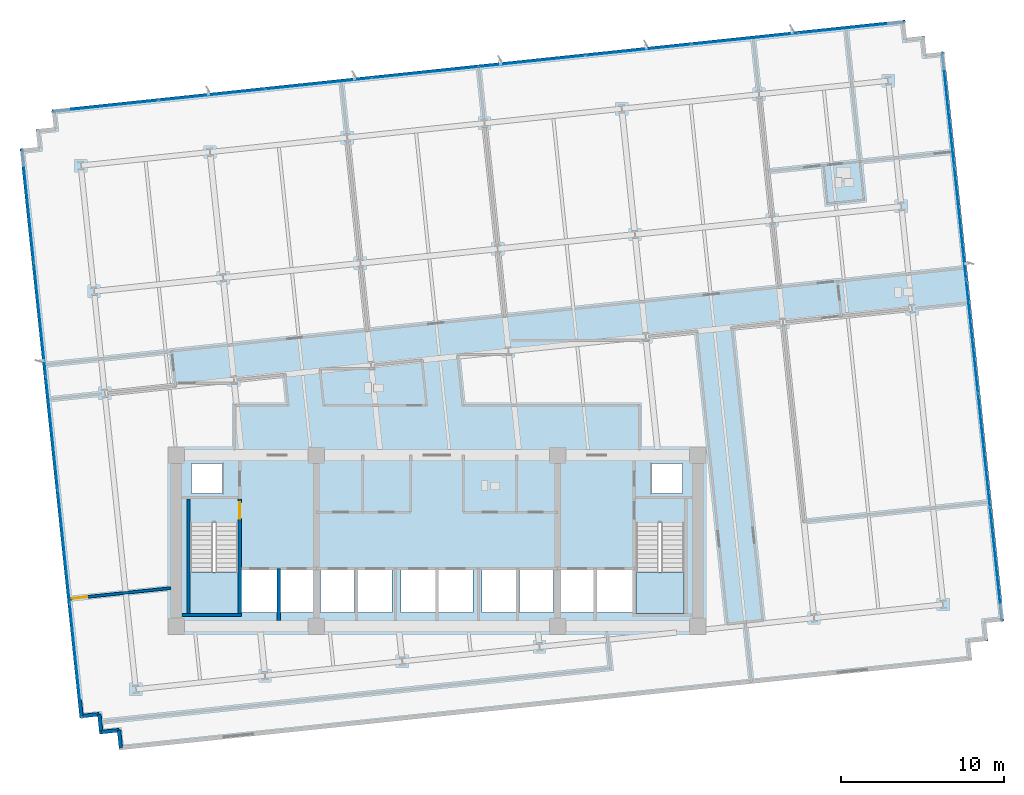
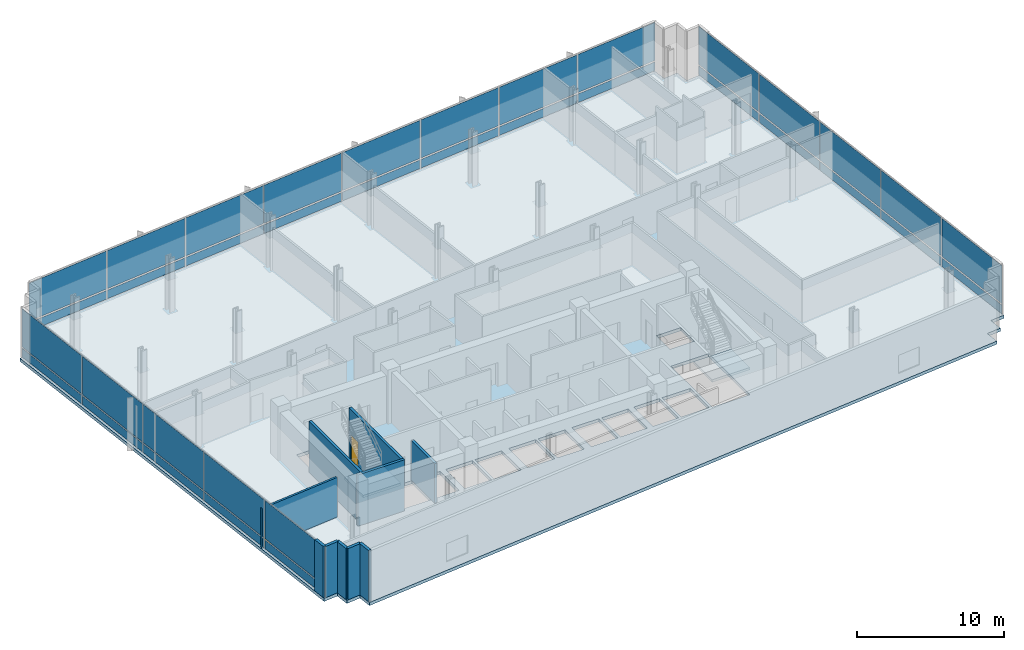
# One storey, part 11 of 20: 36 plates, 10 walls, 3 slabs, 2 doors, 2 openings, 5 elements without a shape of their own.
"""IFC4 building model written with IfcOpenShell, lengths in metres."""

from ifc_helpers import new_model, si_unit, direction, frame, frame_2d, origin, origin_2d, place, context, subcontext, project, spatial, polyline, rectangle, outline, extrude, material, layer, layer_set, type_object, element, fill, aggregate, save


model = new_model("IFC4")

# Units and contexts
model_context = context("Model", 3, precision=1e-05, world=origin(), true_north=direction((0.0, 1.0)))
body_context = subcontext(model_context, "Body", "Model", "MODEL_VIEW")
ifc_project = project(units=[si_unit("LENGTHUNIT", "METRE"), si_unit("AREAUNIT", "SQUARE_METRE"), si_unit("VOLUMEUNIT", "CUBIC_METRE"), si_unit("PLANEANGLEUNIT", "RADIAN"), si_unit("MASSUNIT", "GRAM", prefix="KILO")], contexts=[model_context])

# Site, building, storey
site_placement = place(None, origin())
site = spatial("IfcSite", under=ifc_project, at=site_placement, CompositionType="ELEMENT")
building_placement = place(site_placement, origin())
building = spatial("IfcBuilding", under=site, at=building_placement, Name="Solmavex Isthmus Hotel", CompositionType="ELEMENT")
storey_placement = place(building_placement, frame((0.0, 0.0, 97.35009765625)))
storey = spatial("IfcBuildingStorey", under=building, at=storey_placement, Name="L26", CompositionType="ELEMENT", Elevation=97.35009765625)

# Curtain wall, plates
ifc_material_1 = material(Name="Aluminium alloy 6063-T6", Category="aluminium")
curtain_wall_type = type_object("IfcCurtainWallType", Name="CW-SYS-05", PredefinedType="NOTDEFINED", material=ifc_material_1)
curtain_wall_1_placement = place(storey_placement, origin())
curtain_wall_1 = element("IfcCurtainWall", 1, at=curtain_wall_1_placement, inside=storey, type_object=curtain_wall_type, Name="Stick Curtain Wall CWL-L26-N1", PredefinedType="NOTDEFINED")
ifc_material_2 = material(Name="Clear low-E laminated glass", Category="glass")
ifc_layer_1 = layer(ifc_material_2, 0.0380859375)
ifc_layer_set_1 = layer_set([ifc_layer_1], Name="Clear low-E laminated glass")
plate_type = type_object("IfcPlateType", Name="CW-SYS-05-PNL", PredefinedType="CURTAIN_PANEL", material=ifc_layer_set_1)
plate_1_placement = place(storey_placement, frame((-20.322265625, 18.918701171875, 0.125), z_axis=(0.0, 0.0, 1.0), x_axis=(0.994521909182, 0.104528331835, 0.0)))
plate_1 = element("IfcPlate", 2, at=plate_1_placement, type_object=plate_type, Name="CW-05 panel 1.1", PredefinedType="CURTAIN_PANEL", context=body_context, shape_type="SweptSolid", body=[
    extrude(rectangle(XDim=6.4775390625, YDim=0.0380859375, at=origin_2d()), origin(), (0.0, 0.0, 1.0), 0.71240234375),
])
plate_2_placement = place(storey_placement, frame((-20.322265625, 18.918701171875, 0.96240234375), z_axis=(0.0, 0.0, 1.0), x_axis=(0.994521909182, 0.104528331835, 0.0)))
plate_2 = element("IfcPlate", 3, at=plate_2_placement, type_object=plate_type, Name="CW-05 panel 1.2", PredefinedType="CURTAIN_PANEL", context=body_context, shape_type="SweptSolid", body=[
    extrude(rectangle(XDim=6.4775390625, YDim=0.0380859375, at=origin_2d()), origin(), (0.0, 0.0, 1.0), 3.152587890625),
])
plate_3_placement = place(storey_placement, frame((-13.79931640625, 19.604248046875, 0.125), z_axis=(0.0, 0.0, 1.0), x_axis=(0.994521909182, 0.104528331835, 0.0)))
plate_3 = element("IfcPlate", 4, at=plate_3_placement, type_object=plate_type, Name="CW-05 panel 2.1", PredefinedType="CURTAIN_PANEL", context=body_context, shape_type="SweptSolid", body=[
    extrude(rectangle(XDim=6.510009765625, YDim=0.0380859375, at=origin_2d()), origin(), (0.0, 0.0, 1.0), 0.71240234375),
])
plate_4_placement = place(storey_placement, frame((-13.79931640625, 19.604248046875, 0.96240234375), z_axis=(0.0, 0.0, 1.0), x_axis=(0.994521909182, 0.104528331835, 0.0)))
plate_4 = element("IfcPlate", 5, at=plate_4_placement, type_object=plate_type, Name="CW-05 panel 2.2", PredefinedType="CURTAIN_PANEL", context=body_context, shape_type="SweptSolid", body=[
    extrude(rectangle(XDim=6.510009765625, YDim=0.0380859375, at=origin_2d()), origin(), (0.0, 0.0, 1.0), 3.152587890625),
])
plate_5_placement = place(storey_placement, frame((-7.26025390625, 20.29150390625, 0.125), z_axis=(0.0, 0.0, 1.0), x_axis=(0.994521909182, 0.104528331835, 0.0)))
plate_5 = element("IfcPlate", 6, at=plate_5_placement, type_object=plate_type, Name="CW-05 panel 3.1", PredefinedType="CURTAIN_PANEL", context=body_context, shape_type="SweptSolid", body=[
    extrude(rectangle(XDim=6.510009765625, YDim=0.0380859375, at=origin_2d()), origin(), (0.0, 0.0, 1.0), 0.71240234375),
])
plate_6_placement = place(storey_placement, frame((-7.26025390625, 20.29150390625, 0.96240234375), z_axis=(0.0, 0.0, 1.0), x_axis=(0.994521909182, 0.104528331835, 0.0)))
plate_6 = element("IfcPlate", 7, at=plate_6_placement, type_object=plate_type, Name="CW-05 panel 3.2", PredefinedType="CURTAIN_PANEL", context=body_context, shape_type="SweptSolid", body=[
    extrude(rectangle(XDim=6.510009765625, YDim=0.0380859375, at=origin_2d()), origin(), (0.0, 0.0, 1.0), 3.152587890625),
])
plate_7_placement = place(storey_placement, frame((-0.721435546875, 20.978759765625, 0.125), z_axis=(0.0, 0.0, 1.0), x_axis=(0.994521909182, 0.104528331835, 0.0)))
plate_7 = element("IfcPlate", 8, at=plate_7_placement, type_object=plate_type, Name="CW-05 panel 4.1", PredefinedType="CURTAIN_PANEL", context=body_context, shape_type="SweptSolid", body=[
    extrude(rectangle(XDim=6.510009765625, YDim=0.0380859375, at=origin_2d()), origin(), (0.0, 0.0, 1.0), 0.71240234375),
])
plate_8_placement = place(storey_placement, frame((-0.721435546875, 20.978759765625, 0.96240234375), z_axis=(0.0, 0.0, 1.0), x_axis=(0.994521909182, 0.104528331835, 0.0)))
plate_8 = element("IfcPlate", 9, at=plate_8_placement, type_object=plate_type, Name="CW-05 panel 4.2", PredefinedType="CURTAIN_PANEL", context=body_context, shape_type="SweptSolid", body=[
    extrude(rectangle(XDim=6.510009765625, YDim=0.0380859375, at=origin_2d()), origin(), (0.0, 0.0, 1.0), 3.152587890625),
])
plate_9_placement = place(storey_placement, frame((5.817626953125, 21.666015625, 0.125), z_axis=(0.0, 0.0, 1.0), x_axis=(0.994521909182, 0.104528331835, 0.0)))
plate_9 = element("IfcPlate", 10, at=plate_9_placement, type_object=plate_type, Name="CW-05 panel 5.1", PredefinedType="CURTAIN_PANEL", context=body_context, shape_type="SweptSolid", body=[
    extrude(rectangle(XDim=6.510009765625, YDim=0.0380859375, at=origin_2d()), origin(), (0.0, 0.0, 1.0), 0.71240234375),
])
plate_10_placement = place(storey_placement, frame((5.817626953125, 21.666015625, 0.96240234375), z_axis=(0.0, 0.0, 1.0), x_axis=(0.994521909182, 0.104528331835, 0.0)))
plate_10 = element("IfcPlate", 11, at=plate_10_placement, type_object=plate_type, Name="CW-05 panel 5.2", PredefinedType="CURTAIN_PANEL", context=body_context, shape_type="SweptSolid", body=[
    extrude(rectangle(XDim=6.510009765625, YDim=0.0380859375, at=origin_2d()), origin(), (0.0, 0.0, 1.0), 3.152587890625),
])
plate_11_placement = place(storey_placement, frame((12.356689453125, 22.353271484375, 0.125), z_axis=(0.0, 0.0, 1.0), x_axis=(0.994521909182, 0.104528331835, 0.0)))
plate_11 = element("IfcPlate", 12, at=plate_11_placement, type_object=plate_type, Name="CW-05 panel 6.1", PredefinedType="CURTAIN_PANEL", context=body_context, shape_type="SweptSolid", body=[
    extrude(rectangle(XDim=6.510009765625, YDim=0.0380859375, at=origin_2d()), origin(), (0.0, 0.0, 1.0), 0.71240234375),
])
plate_12_placement = place(storey_placement, frame((12.356689453125, 22.353271484375, 0.96240234375), z_axis=(0.0, 0.0, 1.0), x_axis=(0.994521909182, 0.104528331835, 0.0)))
plate_12 = element("IfcPlate", 13, at=plate_12_placement, type_object=plate_type, Name="CW-05 panel 6.2", PredefinedType="CURTAIN_PANEL", context=body_context, shape_type="SweptSolid", body=[
    extrude(rectangle(XDim=6.510009765625, YDim=0.0380859375, at=origin_2d()), origin(), (0.0, 0.0, 1.0), 3.152587890625),
])
plate_13_placement = place(storey_placement, frame((18.8955078125, 23.04052734375, 0.125), z_axis=(0.0, 0.0, 1.0), x_axis=(0.994521909182, 0.104528331835, 0.0)))
plate_13 = element("IfcPlate", 14, at=plate_13_placement, type_object=plate_type, Name="CW-05 panel 7.1", PredefinedType="CURTAIN_PANEL", context=body_context, shape_type="SweptSolid", body=[
    extrude(rectangle(XDim=6.510009765625, YDim=0.0380859375, at=origin_2d()), origin(), (0.0, 0.0, 1.0), 0.71240234375),
])
plate_14_placement = place(storey_placement, frame((18.8955078125, 23.04052734375, 0.96240234375), z_axis=(0.0, 0.0, 1.0), x_axis=(0.994521909182, 0.104528331835, 0.0)))
plate_14 = element("IfcPlate", 15, at=plate_14_placement, type_object=plate_type, Name="CW-05 panel 7.2", PredefinedType="CURTAIN_PANEL", context=body_context, shape_type="SweptSolid", body=[
    extrude(rectangle(XDim=6.510009765625, YDim=0.0380859375, at=origin_2d()), origin(), (0.0, 0.0, 1.0), 3.152587890625),
])
plate_15_placement = place(storey_placement, frame((25.41845703125, 23.726318359375, 0.125), z_axis=(0.0, 0.0, 1.0), x_axis=(0.994521909182, 0.104528331835, 0.0)))
plate_15 = element("IfcPlate", 16, at=plate_15_placement, type_object=plate_type, Name="CW-05 panel 8.1", PredefinedType="CURTAIN_PANEL", context=body_context, shape_type="SweptSolid", body=[
    extrude(rectangle(XDim=6.4775390625, YDim=0.0380859375, at=origin_2d()), origin(), (0.0, 0.0, 1.0), 0.71240234375),
])
plate_16_placement = place(storey_placement, frame((25.41845703125, 23.726318359375, 0.96240234375), z_axis=(0.0, 0.0, 1.0), x_axis=(0.994521909182, 0.104528331835, 0.0)))
plate_16 = element("IfcPlate", 17, at=plate_16_placement, type_object=plate_type, Name="CW-05 panel 8.2", PredefinedType="CURTAIN_PANEL", context=body_context, shape_type="SweptSolid", body=[
    extrude(rectangle(XDim=6.4775390625, YDim=0.0380859375, at=origin_2d()), origin(), (0.0, 0.0, 1.0), 3.152587890625),
])
aggregate(curtain_wall_1, [plate_1, plate_2, plate_3, plate_4, plate_5, plate_6, plate_7, plate_8, plate_9, plate_10, plate_11, plate_12, plate_13, plate_14, plate_15, plate_16])

curtain_wall_2_placement = place(storey_placement, origin())
curtain_wall_2 = element("IfcCurtainWall", 18, at=curtain_wall_2_placement, inside=storey, type_object=curtain_wall_type, Name="Stick Curtain Wall CWL-L26-W1", PredefinedType="NOTDEFINED")
plate_17_placement = place(storey_placement, frame((-22.15869140625, -15.113525390625, 0.125), z_axis=(0.0, 0.0, 1.0), x_axis=(-0.104528485381, 0.994521893044, 0.0)))
plate_17 = element("IfcPlate", 19, at=plate_17_placement, type_object=plate_type, Name="CW-05 panel 1.1", PredefinedType="CURTAIN_PANEL", context=body_context, shape_type="SweptSolid", body=[
    extrude(rectangle(XDim=6.922607421875, YDim=0.0380859375, at=origin_2d()), origin(), (0.0, 0.0, 1.0), 0.71240234375),
])
plate_18_placement = place(storey_placement, frame((-22.15869140625, -15.113525390625, 0.96240234375), z_axis=(0.0, 0.0, 1.0), x_axis=(-0.104528485381, 0.994521893044, 0.0)))
plate_18 = element("IfcPlate", 20, at=plate_18_placement, type_object=plate_type, Name="CW-05 panel 1.2", PredefinedType="CURTAIN_PANEL", context=body_context, shape_type="SweptSolid", body=[
    extrude(rectangle(XDim=6.922607421875, YDim=0.0380859375, at=origin_2d()), origin(), (0.0, 0.0, 1.0), 3.152587890625),
])
plate_19_placement = place(storey_placement, frame((-22.890625, -8.14794921875, 0.125), z_axis=(0.0, 0.0, 1.0), x_axis=(-0.104528485381, 0.994521893044, 0.0)))
plate_19 = element("IfcPlate", 21, at=plate_19_placement, type_object=plate_type, Name="CW-05 panel 2.1", PredefinedType="CURTAIN_PANEL", context=body_context, shape_type="SweptSolid", body=[
    extrude(rectangle(XDim=6.955078125, YDim=0.0380859375, at=origin_2d()), origin(), (0.0, 0.0, 1.0), 0.71240234375),
])
plate_20_placement = place(storey_placement, frame((-22.890625, -8.14794921875, 0.96240234375), z_axis=(0.0, 0.0, 1.0), x_axis=(-0.104528485381, 0.994521893044, 0.0)))
plate_20 = element("IfcPlate", 22, at=plate_20_placement, type_object=plate_type, Name="CW-05 panel 2.2", PredefinedType="CURTAIN_PANEL", context=body_context, shape_type="SweptSolid", body=[
    extrude(rectangle(XDim=6.955078125, YDim=0.0380859375, at=origin_2d()), origin(), (0.0, 0.0, 1.0), 3.152587890625),
])
plate_21_placement = place(storey_placement, frame((-23.62451171875, -1.16650390625, 0.125), z_axis=(0.0, 0.0, 1.0), x_axis=(-0.104528485381, 0.994521893044, 0.0)))
plate_21 = element("IfcPlate", 23, at=plate_21_placement, type_object=plate_type, Name="CW-05 panel 3.1", PredefinedType="CURTAIN_PANEL", context=body_context, shape_type="SweptSolid", body=[
    extrude(rectangle(XDim=6.955078125, YDim=0.0380859375, at=origin_2d()), origin(), (0.0, 0.0, 1.0), 0.71240234375),
])
plate_22_placement = place(storey_placement, frame((-23.62451171875, -1.16650390625, 0.96240234375), z_axis=(0.0, 0.0, 1.0), x_axis=(-0.104528485381, 0.994521893044, 0.0)))
plate_22 = element("IfcPlate", 24, at=plate_22_placement, type_object=plate_type, Name="CW-05 panel 3.2", PredefinedType="CURTAIN_PANEL", context=body_context, shape_type="SweptSolid", body=[
    extrude(rectangle(XDim=6.955078125, YDim=0.0380859375, at=origin_2d()), origin(), (0.0, 0.0, 1.0), 3.152587890625),
])
plate_23_placement = place(storey_placement, frame((-24.3583984375, 5.81494140625, 0.125), z_axis=(0.0, 0.0, 1.0), x_axis=(-0.104528485381, 0.994521893044, 0.0)))
plate_23 = element("IfcPlate", 25, at=plate_23_placement, type_object=plate_type, Name="CW-05 panel 4.1", PredefinedType="CURTAIN_PANEL", context=body_context, shape_type="SweptSolid", body=[
    extrude(rectangle(XDim=6.955078125, YDim=0.0380859375, at=origin_2d()), origin(), (0.0, 0.0, 1.0), 0.71240234375),
])
plate_24_placement = place(storey_placement, frame((-24.3583984375, 5.81494140625, 0.96240234375), z_axis=(0.0, 0.0, 1.0), x_axis=(-0.104528485381, 0.994521893044, 0.0)))
plate_24 = element("IfcPlate", 26, at=plate_24_placement, type_object=plate_type, Name="CW-05 panel 4.2", PredefinedType="CURTAIN_PANEL", context=body_context, shape_type="SweptSolid", body=[
    extrude(rectangle(XDim=6.955078125, YDim=0.0380859375, at=origin_2d()), origin(), (0.0, 0.0, 1.0), 3.152587890625),
])
plate_25_placement = place(storey_placement, frame((-25.09033203125, 12.780517578125, 0.125), z_axis=(0.0, 0.0, 1.0), x_axis=(-0.104528485381, 0.994521893044, 0.0)))
plate_25 = element("IfcPlate", 27, at=plate_25_placement, type_object=plate_type, Name="CW-05 panel 5.1", PredefinedType="CURTAIN_PANEL", context=body_context, shape_type="SweptSolid", body=[
    extrude(rectangle(XDim=6.922607421875, YDim=0.0380859375, at=origin_2d()), origin(), (0.0, 0.0, 1.0), 0.71240234375),
])
plate_26_placement = place(storey_placement, frame((-25.09033203125, 12.780517578125, 0.96240234375), z_axis=(0.0, 0.0, 1.0), x_axis=(-0.104528485381, 0.994521893044, 0.0)))
plate_26 = element("IfcPlate", 28, at=plate_26_placement, type_object=plate_type, Name="CW-05 panel 5.2", PredefinedType="CURTAIN_PANEL", context=body_context, shape_type="SweptSolid", body=[
    extrude(rectangle(XDim=6.922607421875, YDim=0.0380859375, at=origin_2d()), origin(), (0.0, 0.0, 1.0), 3.152587890625),
])
aggregate(curtain_wall_2, [plate_17, plate_18, plate_19, plate_20, plate_21, plate_22, plate_23, plate_24, plate_25, plate_26])

curtain_wall_3_placement = place(storey_placement, origin())
curtain_wall_3 = element("IfcCurtainWall", 29, at=curtain_wall_3_placement, inside=storey, type_object=curtain_wall_type, Name="Stick Curtain Wall CWL-L26-E1", PredefinedType="NOTDEFINED")
plate_27_placement = place(storey_placement, frame((34.29052734375, -9.180419921875, 0.125), z_axis=(0.0, 0.0, 1.0), x_axis=(-0.104528485381, 0.994521893044, 0.0)))
plate_27 = element("IfcPlate", 30, at=plate_27_placement, type_object=plate_type, Name="CW-05 panel 1.1", PredefinedType="CURTAIN_PANEL", context=body_context, shape_type="SweptSolid", body=[
    extrude(rectangle(XDim=6.922607421875, YDim=0.0380859375, at=origin_2d()), origin(), (0.0, 0.0, 1.0), 0.71240234375),
])
plate_28_placement = place(storey_placement, frame((34.29052734375, -9.180419921875, 0.96240234375), z_axis=(0.0, 0.0, 1.0), x_axis=(-0.104528485381, 0.994521893044, 0.0)))
plate_28 = element("IfcPlate", 31, at=plate_28_placement, type_object=plate_type, Name="CW-05 panel 1.2", PredefinedType="CURTAIN_PANEL", context=body_context, shape_type="SweptSolid", body=[
    extrude(rectangle(XDim=6.922607421875, YDim=0.0380859375, at=origin_2d()), origin(), (0.0, 0.0, 1.0), 3.152587890625),
])
plate_29_placement = place(storey_placement, frame((33.558349609375, -2.215087890625, 0.125), z_axis=(0.0, 0.0, 1.0), x_axis=(-0.104528485381, 0.994521893044, 0.0)))
plate_29 = element("IfcPlate", 32, at=plate_29_placement, type_object=plate_type, Name="CW-05 panel 2.1", PredefinedType="CURTAIN_PANEL", context=body_context, shape_type="SweptSolid", body=[
    extrude(rectangle(XDim=6.955078125, YDim=0.0380859375, at=origin_2d()), origin(), (0.0, 0.0, 1.0), 0.71240234375),
])
plate_30_placement = place(storey_placement, frame((33.558349609375, -2.215087890625, 0.96240234375), z_axis=(0.0, 0.0, 1.0), x_axis=(-0.104528485381, 0.994521893044, 0.0)))
plate_30 = element("IfcPlate", 33, at=plate_30_placement, type_object=plate_type, Name="CW-05 panel 2.2", PredefinedType="CURTAIN_PANEL", context=body_context, shape_type="SweptSolid", body=[
    extrude(rectangle(XDim=6.955078125, YDim=0.0380859375, at=origin_2d()), origin(), (0.0, 0.0, 1.0), 3.152587890625),
])
plate_31_placement = place(storey_placement, frame((32.824462890625, 4.7666015625, 0.125), z_axis=(0.0, 0.0, 1.0), x_axis=(-0.104528485381, 0.994521893044, 0.0)))
plate_31 = element("IfcPlate", 34, at=plate_31_placement, type_object=plate_type, Name="CW-05 panel 3.1", PredefinedType="CURTAIN_PANEL", context=body_context, shape_type="SweptSolid", body=[
    extrude(rectangle(XDim=6.955078125, YDim=0.0380859375, at=origin_2d()), origin(), (0.0, 0.0, 1.0), 0.71240234375),
])
plate_32_placement = place(storey_placement, frame((32.824462890625, 4.7666015625, 0.96240234375), z_axis=(0.0, 0.0, 1.0), x_axis=(-0.104528485381, 0.994521893044, 0.0)))
plate_32 = element("IfcPlate", 35, at=plate_32_placement, type_object=plate_type, Name="CW-05 panel 3.2", PredefinedType="CURTAIN_PANEL", context=body_context, shape_type="SweptSolid", body=[
    extrude(rectangle(XDim=6.955078125, YDim=0.0380859375, at=origin_2d()), origin(), (0.0, 0.0, 1.0), 3.152587890625),
])
plate_33_placement = place(storey_placement, frame((32.0908203125, 11.748046875, 0.125), z_axis=(0.0, 0.0, 1.0), x_axis=(-0.104528485381, 0.994521893044, 0.0)))
plate_33 = element("IfcPlate", 36, at=plate_33_placement, type_object=plate_type, Name="CW-05 panel 4.1", PredefinedType="CURTAIN_PANEL", context=body_context, shape_type="SweptSolid", body=[
    extrude(rectangle(XDim=6.955078125, YDim=0.0380859375, at=origin_2d()), origin(), (0.0, 0.0, 1.0), 0.71240234375),
])
plate_34_placement = place(storey_placement, frame((32.0908203125, 11.748046875, 0.96240234375), z_axis=(0.0, 0.0, 1.0), x_axis=(-0.104528485381, 0.994521893044, 0.0)))
plate_34 = element("IfcPlate", 37, at=plate_34_placement, type_object=plate_type, Name="CW-05 panel 4.2", PredefinedType="CURTAIN_PANEL", context=body_context, shape_type="SweptSolid", body=[
    extrude(rectangle(XDim=6.955078125, YDim=0.0380859375, at=origin_2d()), origin(), (0.0, 0.0, 1.0), 3.152587890625),
])
plate_35_placement = place(storey_placement, frame((31.358642578125, 18.71337890625, 0.125), z_axis=(0.0, 0.0, 1.0), x_axis=(-0.104528485381, 0.994521893044, 0.0)))
plate_35 = element("IfcPlate", 38, at=plate_35_placement, type_object=plate_type, Name="CW-05 panel 5.1", PredefinedType="CURTAIN_PANEL", context=body_context, shape_type="SweptSolid", body=[
    extrude(rectangle(XDim=6.922607421875, YDim=0.0380859375, at=origin_2d()), origin(), (0.0, 0.0, 1.0), 0.71240234375),
])
plate_36_placement = place(storey_placement, frame((31.358642578125, 18.71337890625, 0.96240234375), z_axis=(0.0, 0.0, 1.0), x_axis=(-0.104528485381, 0.994521893044, 0.0)))
plate_36 = element("IfcPlate", 39, at=plate_36_placement, type_object=plate_type, Name="CW-05 panel 5.2", PredefinedType="CURTAIN_PANEL", context=body_context, shape_type="SweptSolid", body=[
    extrude(rectangle(XDim=6.922607421875, YDim=0.0380859375, at=origin_2d()), origin(), (0.0, 0.0, 1.0), 3.152587890625),
])
aggregate(curtain_wall_3, [plate_27, plate_28, plate_29, plate_30, plate_31, plate_32, plate_33, plate_34, plate_35, plate_36])

# Slab
ifc_material_3 = material(Name="Concrete C40/50", Category="concrete")
ifc_layer_2 = layer(ifc_material_3, 0.260009765625)
ifc_layer_set_2 = layer_set([ifc_layer_2], Name="Concrete C40/50")
slab_type_1 = type_object("IfcSlabType", Name="SLAB-TYP-260", PredefinedType="FLOOR", material=ifc_layer_set_2)
slab_1_placement = place(storey_placement, frame((0.0, 0.0, -0.260009765625)))
element("IfcSlab", 40, at=slab_1_placement, inside=storey, type_object=slab_type_1, Name="Tower Structural Floor Slab L26", PredefinedType="FLOOR", context=body_context, shape_type="SweptSolid", body=[
    extrude(outline(polyline([(-18.3974609375, -20.475830078125), (31.726318359375, -15.207763671875), (32.8203125, -15.0927734375), (32.705322265625, -13.998779296875), (33.79931640625, -13.8837890625), (33.684326171875, -12.789794921875), (34.7783203125, -12.6748046875), (34.663330078125, -11.580810546875), (31.224365234375, 21.138916015625), (31.109375, 22.23291015625), (30.015380859375, 22.117919921875), (29.900390625, 23.2119140625), (28.806396484375, 23.096923828125), (28.69140625, 24.19091796875), (27.597412109375, 24.075927734375), (-22.5263671875, 18.8076171875), (-23.620361328125, 18.692626953125), (-23.50537109375, 17.5986328125), (-24.599365234375, 17.483642578125), (-24.484375, 16.389892578125), (-25.578369140625, 16.27490234375), (-25.46337890625, 15.180908203125), (-22.0244140625, -17.5390625), (-21.909423828125, -18.6328125), (-20.8154296875, -18.517822265625), (-20.700439453125, -19.61181640625), (-19.6064453125, -19.496826171875), (-19.491455078125, -20.5908203125), (-18.3974609375, -20.475830078125)]), holes=[polyline([(-15.14990234375, -6.617919921875), (-15.14990234375, -12.199951171875), (-12.199951171875, -12.199951171875), (-12.199951171875, -6.617919921875), (-15.14990234375, -6.617919921875)]), polyline([(12.199951171875, -6.617919921875), (12.199951171875, -12.199951171875), (15.14990234375, -12.199951171875), (15.14990234375, -6.617919921875), (12.199951171875, -6.617919921875)]), polyline([(-12.0, -12.14990234375), (-9.800048828125, -12.14990234375), (-9.800048828125, -9.550048828125), (-12.0, -9.550048828125), (-12.0, -12.14990234375)]), polyline([(9.800048828125, -12.14990234375), (12.0, -12.14990234375), (12.0, -9.550048828125), (9.800048828125, -9.550048828125), (9.800048828125, -12.14990234375)]), polyline([(-9.60009765625, -12.14990234375), (-7.60009765625, -12.14990234375), (-7.60009765625, -9.550048828125), (-9.60009765625, -9.550048828125), (-9.60009765625, -12.14990234375)]), polyline([(7.60009765625, -12.14990234375), (9.60009765625, -12.14990234375), (9.60009765625, -9.550048828125), (7.60009765625, -9.550048828125), (7.60009765625, -12.14990234375)]), polyline([(-7.14990234375, -12.14990234375), (-5.050048828125, -12.14990234375), (-5.050048828125, -9.550048828125), (-7.14990234375, -9.550048828125), (-7.14990234375, -12.14990234375)]), polyline([(-4.85009765625, -12.14990234375), (-2.75, -12.14990234375), (-2.75, -9.550048828125), (-4.85009765625, -9.550048828125), (-4.85009765625, -12.14990234375)]), polyline([(-2.199951171875, -12.14990234375), (-0.10009765625, -12.14990234375), (-0.10009765625, -9.550048828125), (-2.199951171875, -9.550048828125), (-2.199951171875, -12.14990234375)]), polyline([(0.10009765625, -12.14990234375), (2.199951171875, -12.14990234375), (2.199951171875, -9.550048828125), (0.10009765625, -9.550048828125), (0.10009765625, -12.14990234375)]), polyline([(2.75, -12.14990234375), (4.85009765625, -12.14990234375), (4.85009765625, -9.550048828125), (2.75, -9.550048828125), (2.75, -12.14990234375)]), polyline([(5.050048828125, -12.14990234375), (7.14990234375, -12.14990234375), (7.14990234375, -9.550048828125), (5.050048828125, -9.550048828125), (5.050048828125, -12.14990234375)]), polyline([(-15.050048828125, -4.85009765625), (-13.14990234375, -4.85009765625), (-13.14990234375, -3.0), (-15.050048828125, -3.0), (-15.050048828125, -4.85009765625)]), polyline([(13.14990234375, -4.85009765625), (15.050048828125, -4.85009765625), (15.050048828125, -3.0), (13.14990234375, -3.0), (13.14990234375, -4.85009765625)])]), origin(), (0.0, 0.0, 1.0), 0.260009765625),
])

# Stair, slab
stair_type_1 = type_object("IfcStairType", Name="STR-ST-1", PredefinedType="HALF_TURN_STAIR", material=ifc_material_3)
stair_1_placement = place(storey_placement, origin())
stair_1 = element("IfcStair", 41, at=stair_1_placement, inside=storey, type_object=stair_type_1, Name="L26 Protected Exit Stair ST-1", PredefinedType="HALF_TURN_STAIR")
ifc_layer_3 = layer(ifc_material_3, 0.219970703125)
ifc_layer_set_3 = layer_set([ifc_layer_3], Name="Concrete C40/50")
slab_type_2 = type_object("IfcSlabType", Name="SLD-ST-1", PredefinedType="LANDING", material=ifc_layer_set_3)
slab_2_placement = place(storey_placement, frame((0.0, 0.0, 2.0498046875)))
slab_2 = element("IfcSlab", 42, at=slab_2_placement, type_object=slab_type_2, Name="ST-1 landing 1", PredefinedType="LANDING", context=body_context, shape_type="SweptSolid", body=[
    extrude(outline(polyline([(-15.14990234375, -9.679931640625), (-15.14990234375, -12.199951171875), (-12.199951171875, -12.199951171875), (-12.199951171875, -9.679931640625), (-15.14990234375, -9.679931640625)])), origin(), (0.0, 0.0, 1.0), 0.2001953125),
])
aggregate(stair_1, [slab_2])

stair_type_2 = type_object("IfcStairType", Name="STR-ST-2", PredefinedType="HALF_TURN_STAIR", material=ifc_material_3)
stair_2_placement = place(storey_placement, origin())
stair_2 = element("IfcStair", 43, at=stair_2_placement, inside=storey, type_object=stair_type_2, Name="L26 Protected Exit Stair ST-2", PredefinedType="HALF_TURN_STAIR")
ifc_layer_4 = layer(ifc_material_3, 0.219970703125)
ifc_layer_set_4 = layer_set([ifc_layer_4], Name="Concrete C40/50")
slab_type_3 = type_object("IfcSlabType", Name="SLD-ST-2", PredefinedType="LANDING", material=ifc_layer_set_4)
slab_3_placement = place(storey_placement, frame((0.0, 0.0, 2.0498046875)))
slab_3 = element("IfcSlab", 44, at=slab_3_placement, type_object=slab_type_3, Name="ST-2 landing 1", PredefinedType="LANDING", context=body_context, shape_type="SweptSolid", body=[
    extrude(outline(polyline([(12.199951171875, -9.679931640625), (12.199951171875, -12.199951171875), (15.14990234375, -12.199951171875), (15.14990234375, -9.679931640625), (12.199951171875, -9.679931640625)])), origin(), (0.0, 0.0, 1.0), 0.2001953125),
])
aggregate(stair_2, [slab_3])

# Walls
ifc_material_4 = material(Name="Precast Concrete C40/50", Category="concrete")
ifc_layer_5 = layer(ifc_material_4, 0.25)
ifc_layer_set_5 = layer_set([ifc_layer_5], Name="Precast Concrete C40/50")
wall_type_1 = type_object("IfcWallType", Name="EW-TWR-250", PredefinedType="STANDARD", material=ifc_layer_set_5)
for number, where, z_axis, x_axis, name in (
    (45, (-19.3935546875, -20.469970703125, 0.0), (0.0, 0.0, 1.0), (-0.104534592565, 0.994521251134, 0.0), "Serrated Corner Facade Panel L26-01"),
    (46, (-19.508544921875, -19.3759765625, 0.0), (0.0, 0.0, 1.0), (-0.994521251134, -0.104534592565, 0.0), "Serrated Corner Facade Panel L26-02"),
    (47, (-20.6025390625, -19.490966796875, 0.0), (0.0, 0.0, 1.0), (-0.104534592565, 0.994521251134, 0.0), "Serrated Corner Facade Panel L26-03"),
    (48, (-20.717529296875, -18.39697265625, 0.0), (0.0, 0.0, 1.0), (-0.994521251134, -0.104534592565, 0.0), "Serrated Corner Facade Panel L26-04"),
):
    element("IfcWall", number, at=place(storey_placement, frame(where, z_axis=z_axis, x_axis=x_axis)), inside=storey, type_object=wall_type_1, Name=name, PredefinedType="STANDARD", context=body_context, shape_type="SweptSolid", body=[
        extrude(rectangle(XDim=1.10009765625, YDim=0.219970703125, at=frame_2d((0.550048828125, 0.0))), origin(), (0.0, 0.0, 1.0), 4.239990234375),
    ])
wall_1_placement = place(storey_placement, frame((-21.8115234375, -18.511962890625, 0.0), z_axis=(0.0, 0.0, 1.0), x_axis=(-0.104556418955, 0.99451895671, 0.0)))
element("IfcWall", 49, at=wall_1_placement, inside=storey, type_object=wall_type_1, Name="Serrated Corner Facade Panel L26-05", PredefinedType="STANDARD", context=body_context, shape_type="SweptSolid", body=[
    extrude(rectangle(XDim=0.989990234375, YDim=0.219970703125, at=frame_2d((0.4951171875, 0.0))), origin(), (0.0, 0.0, 1.0), 4.239990234375),
])

# Wall, opening, door
ifc_material_5 = material(Name="Gypsum plasterboard lining", Category="gypsum")
ifc_layer_6 = layer(ifc_material_5, 0.159912109375)
ifc_layer_set_6 = layer_set([ifc_layer_6], Name="Gypsum plasterboard lining")
wall_type_2 = type_object("IfcWallType", Name="IW-COMP-160", PredefinedType="PARTITIONING", material=ifc_layer_set_6)
wall_2_placement = place(storey_placement, frame((-16.310302734375, -10.654052734375, 0.0), z_axis=(0.0, 0.0, 1.0), x_axis=(-0.994521733109, -0.104530007048, 0.0)))
wall_2 = element("IfcWall", 50, at=wall_2_placement, inside=storey, type_object=wall_type_2, Name="Interior Partition Wall W-L26-P052", PredefinedType="PARTITIONING", context=body_context, shape_type="SweptSolid", body=[
    extrude(rectangle(XDim=6.322509765625, YDim=0.159912109375, at=frame_2d((3.1611328125, 0.0))), origin(), (0.0, 0.0, 1.0), 3.27490234375),
])
opening_1_placement = place(wall_2_placement, frame((5.16259765625, 0.0, 0.0)))
opening_1 = element("IfcOpeningElement", 51, at=opening_1_placement, cuts=wall_2, Name="Opening ID-C095", PredefinedType="OPENING", context=body_context, shape_type="SweptSolid", body=[
    extrude(rectangle(XDim=0.949951171875, YDim=2.14990234375, at=frame_2d((0.47509765625, 1.074951171875))), frame((0.0, 0.08984375, 0.0), z_axis=(0.0, -1.0, 0.0), x_axis=(1.0, 0.0, 0.0)), (0.0, 0.0, 1.0), 0.179931640625),
])
ifc_material_6 = material(Name="Hardwood timber", Category="wood")
door_type_1 = type_object("IfcDoorType", Name="IDR-FD60-0950", OperationType="NOTDEFINED", PredefinedType="DOOR", material=ifc_material_6)
door_1_placement = place(opening_1_placement, frame((0.949951171875, 0.0, 0.0), z_axis=(0.0, 0.0, 1.0), x_axis=(-1.0, 0.0, 0.0)))
door_1 = element("IfcDoor", 52, at=door_1_placement, inside=storey, type_object=door_type_1, Name="Corporate Briefing Office Door L26-13", OperationType="SINGLE_SWING_LEFT", OverallHeight=2.14990234375, OverallWidth=0.949951171875, PredefinedType="DOOR", context=body_context, shape_type="SweptSolid", body=[
    extrude(rectangle(XDim=0.949951171875, YDim=2.14990234375, at=frame_2d((0.47509765625, 1.074951171875))), frame((0.0, 0.02490234375, 0.0), z_axis=(0.0, -1.0, 0.0), x_axis=(1.0, 0.0, 0.0)), (0.0, 0.0, 1.0), 0.050048828125),
])
fill(opening_1, door_1)

# Walls
ifc_layer_7 = layer(ifc_material_3, 0.199951171875)
ifc_layer_set_7 = layer_set([ifc_layer_7], Name="Concrete C40/50")
wall_type_3 = type_object("IfcWallType", Name="IW-SHAFT-200", PredefinedType="PARTITIONING", material=ifc_layer_set_7)
wall_3_placement = place(storey_placement, frame((-9.699951171875, -12.64990234375, 0.0), z_axis=(0.0, 0.0, 1.0), x_axis=(0.0, 1.0, 0.0)))
element("IfcWall", 53, at=wall_3_placement, inside=storey, type_object=wall_type_3, Name="Interior Partition Wall W-L26-FFLW-M", PredefinedType="PARTITIONING", context=body_context, shape_type="SweptSolid", body=[
    extrude(rectangle(XDim=3.199951171875, YDim=0.199951171875, at=frame_2d((1.60009765625, 0.0))), origin(), (0.0, 0.0, 1.0), 3.27490234375),
])
ifc_layer_8 = layer(ifc_material_3, 0.199951171875)
ifc_layer_set_8 = layer_set([ifc_layer_8], Name="Concrete C40/50")
wall_type_4 = type_object("IfcWallType", Name="WALL-SW-200", PredefinedType="SOLIDWALL", material=ifc_layer_set_8)
wall_4_placement = place(storey_placement, frame((-15.64990234375, -12.300048828125, 0.0), z_axis=(0.0, 0.0, 1.0), x_axis=(1.0, 0.0, 0.0)))
element("IfcWall", 54, at=wall_4_placement, inside=storey, type_object=wall_type_4, Name="Stairwell Structural Wall SW-L26-ST1-S", PredefinedType="SOLIDWALL", context=body_context, shape_type="SweptSolid", body=[
    extrude(rectangle(XDim=3.64990234375, YDim=0.199951171875, at=frame_2d((1.824951171875, 0.0))), origin(), (0.0, 0.0, 1.0), 4.239990234375),
])
wall_5_placement = place(storey_placement, frame((-15.25, -12.199951171875, 0.0), z_axis=(0.0, 0.0, 1.0), x_axis=(0.0, 1.0, 0.0)))
element("IfcWall", 55, at=wall_5_placement, inside=storey, type_object=wall_type_4, Name="Stairwell Structural Wall SW-L26-ST1-W", PredefinedType="SOLIDWALL", context=body_context, shape_type="SweptSolid", body=[
    extrude(rectangle(XDim=7.0, YDim=0.199951171875, at=frame_2d((3.5, 0.0))), origin(), (0.0, 0.0, 1.0), 4.239990234375),
])

# Wall, opening, door
wall_6_placement = place(storey_placement, frame((-12.10009765625, -12.199951171875, 0.0), z_axis=(0.0, 0.0, 1.0), x_axis=(0.0, 1.0, 0.0)))
wall_6 = element("IfcWall", 56, at=wall_6_placement, inside=storey, type_object=wall_type_4, Name="Stairwell Structural Wall SW-L26-ST1-E", PredefinedType="SOLIDWALL", context=body_context, shape_type="SweptSolid", body=[
    extrude(rectangle(XDim=7.0, YDim=0.199951171875, at=frame_2d((3.5, 0.0))), origin(), (0.0, 0.0, 1.0), 4.239990234375),
])
opening_2_placement = place(wall_6_placement, frame((5.800048828125, 0.0, 0.0)))
opening_2 = element("IfcOpeningElement", 57, at=opening_2_placement, cuts=wall_6, Name="Opening ID-F100", PredefinedType="OPENING", context=body_context, shape_type="SweptSolid", body=[
    extrude(rectangle(XDim=1.0, YDim=2.10009765625, at=frame_2d((0.5, 1.050048828125))), frame((0.0, 0.10986328125, 0.0), z_axis=(0.0, -1.0, 0.0), x_axis=(1.0, 0.0, 0.0)), (0.0, 0.0, 1.0), 0.219970703125),
])
ifc_material_7 = material(Name="Steel ASTM A500 Grade C", Category="steel")
door_type_2 = type_object("IfcDoorType", Name="IDR-FD90-1000", OperationType="NOTDEFINED", PredefinedType="DOOR", material=ifc_material_7)
door_2_placement = place(opening_2_placement, frame((1.0, 0.0, 0.0), z_axis=(0.0, 0.0, 1.0), x_axis=(-1.0, 0.0, 0.0)))
door_2 = element("IfcDoor", 58, at=door_2_placement, inside=storey, type_object=door_type_2, Name="Stair ST-1 Fire Door L26", OperationType="SINGLE_SWING_LEFT", OverallHeight=2.10009765625, OverallWidth=1.0, PredefinedType="DOOR", context=body_context, shape_type="SweptSolid", body=[
    extrude(rectangle(XDim=1.0, YDim=2.10009765625, at=frame_2d((0.5, 1.050048828125))), frame((0.0, 0.02490234375, 0.0), z_axis=(0.0, -1.0, 0.0), x_axis=(1.0, 0.0, 0.0)), (0.0, 0.0, 1.0), 0.050048828125),
])
fill(opening_2, door_2)

save(model, "model.ifc")
